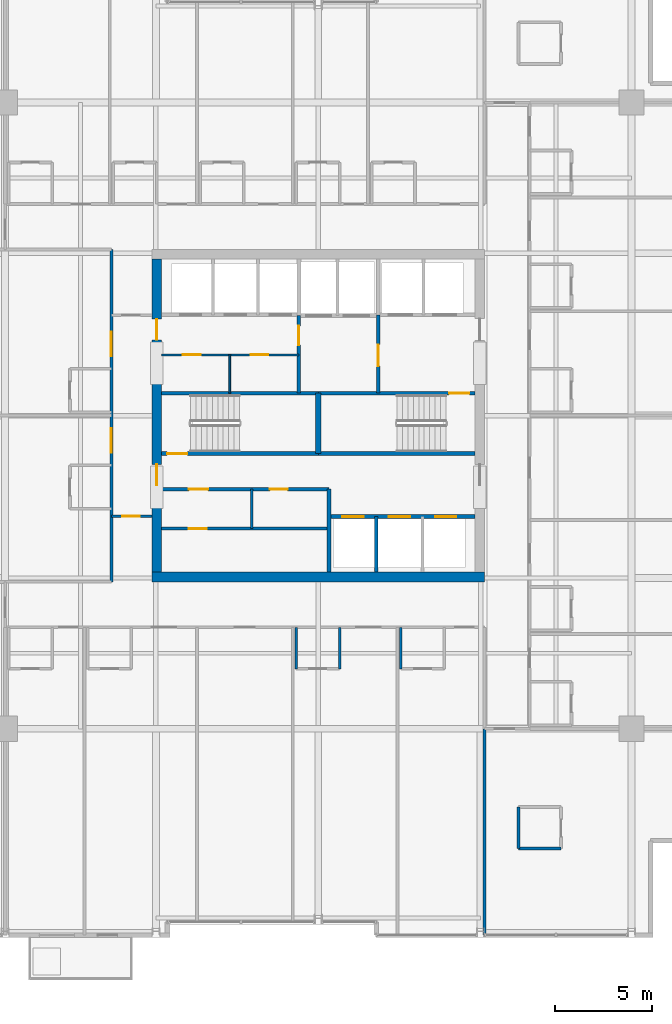
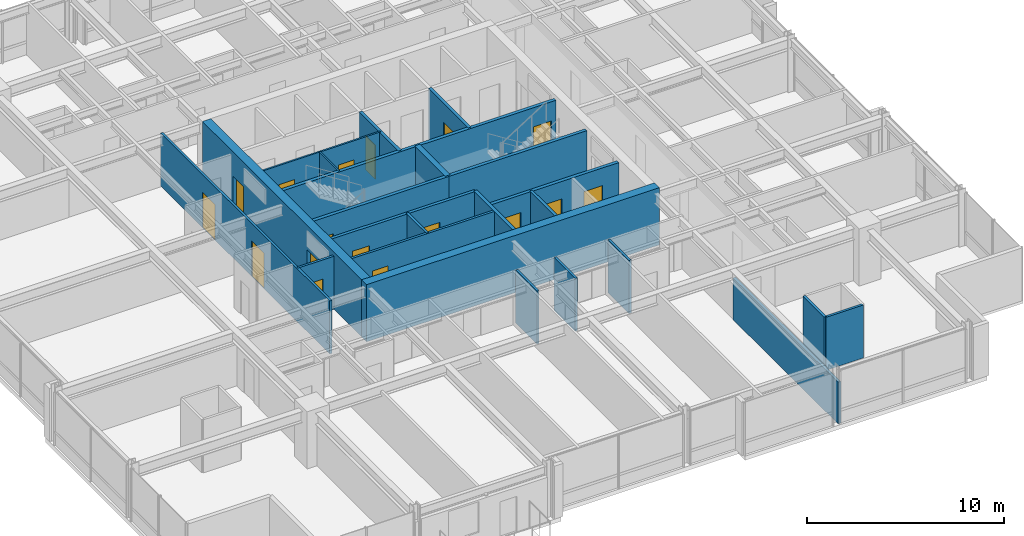
# One storey, part 27 of 32: 25 walls, 17 doors, 17 openings.
"""IFC4 building model written with IfcOpenShell, lengths in metres."""

from ifc_helpers import new_model, si_unit, direction, frame, frame_2d, origin, place, context, subcontext, project, spatial, rectangle, extrude, material, layer, layer_set, type_object, element, fill, save


model = new_model("IFC4")

# Units and contexts
model_context = context("Model", 3, precision=1e-05, world=origin(), true_north=direction((0.0, 1.0)))
body_context = subcontext(model_context, "Body", "Model", "MODEL_VIEW")
ifc_project = project(units=[si_unit("LENGTHUNIT", "METRE"), si_unit("AREAUNIT", "SQUARE_METRE"), si_unit("VOLUMEUNIT", "CUBIC_METRE"), si_unit("PLANEANGLEUNIT", "RADIAN"), si_unit("MASSUNIT", "GRAM", prefix="KILO")], contexts=[model_context])

# Site, building, storey
site_placement = place(None, origin())
site = spatial("IfcSite", under=ifc_project, at=site_placement, CompositionType="ELEMENT")
building_placement = place(site_placement, origin())
building = spatial("IfcBuilding", under=site, at=building_placement, Name="Drelvath Grand Hotel", CompositionType="ELEMENT")
storey_placement = place(building_placement, frame((0.0, 0.0, 157.5)))
storey = spatial("IfcBuildingStorey", under=building, at=storey_placement, Name="L40", CompositionType="ELEMENT", Elevation=157.5)

# Wall, openings, doors
ifc_material_1 = material(Name="Gypsum Partition Board")
ifc_layer_1 = layer(ifc_material_1, 0.10009765625)
ifc_layer_set_1 = layer_set([ifc_layer_1], Name="Gypsum Partition Board")
wall_type_1 = type_object("IfcWallType", Name="Core Closet Partition 100", PredefinedType="PARTITIONING", material=ifc_layer_set_1)
wall_1_placement = place(storey_placement, frame((-8.10009765625, 30.139892578125, 0.0), z_axis=(0.0, 0.0, 1.0), x_axis=(1.0, 0.0, 0.0)))
wall_1 = element("IfcWall", 1, at=wall_1_placement, inside=storey, type_object=wall_type_1, Name="L40 High-Rise Lobby Closet Wall", PredefinedType="PARTITIONING", context=body_context, shape_type="SweptSolid", body=[
    extrude(rectangle(XDim=7.10009765625, YDim=0.10009765625, at=frame_2d((3.550048828125, 0.0))), origin(), (0.0, 0.0, 1.0), 3.2900390625),
])
opening_1_placement = place(wall_1_placement, frame((1.10009765625, 0.0, 0.0)))
opening_1 = element("IfcOpeningElement", 2, at=opening_1_placement, cuts=wall_1, Name="Opening D-T3G1-014", PredefinedType="OPENING", context=body_context, shape_type="SweptSolid", body=[
    extrude(rectangle(XDim=0.919921875, YDim=2.10009765625, at=frame_2d((0.4599609375, 1.050048828125))), frame((0.0, 0.06005859375, 0.0), z_axis=(0.0, -1.0, 0.0), x_axis=(1.0, 0.0, 0.0)), (0.0, 0.0, 1.0), 0.1201171875),
])
opening_2_placement = place(wall_1_placement, frame((4.60009765625, 0.0, 0.0)))
opening_2 = element("IfcOpeningElement", 3, at=opening_2_placement, cuts=wall_1, Name="Opening D-T3G1-015", PredefinedType="OPENING", context=body_context, shape_type="SweptSolid", body=[
    extrude(rectangle(XDim=0.919921875, YDim=2.10009765625, at=frame_2d((0.4599609375, 1.050048828125))), frame((0.0, 0.06005859375, 0.0), z_axis=(0.0, -1.0, 0.0), x_axis=(1.0, 0.0, 0.0)), (0.0, 0.0, 1.0), 0.1201171875),
])
ifc_material_2 = material(Name="Painted Steel S275", Category="steel")
door_type_1 = type_object("IfcDoorType", Name="Staff Utility Door 920x2100", OperationType="NOTDEFINED", PredefinedType="DOOR", material=ifc_material_2)
door_1_placement = place(opening_1_placement, origin())
door_1 = element("IfcDoor", 4, at=door_1_placement, inside=storey, type_object=door_type_1, Name="L40 Electrical Closet Door", OperationType="SINGLE_SWING_LEFT", OverallHeight=2.10009765625, OverallWidth=0.919921875, PredefinedType="DOOR", context=body_context, shape_type="SweptSolid", body=[
    extrude(rectangle(XDim=0.919921875, YDim=2.10009765625, at=frame_2d((0.4599609375, 1.050048828125))), frame((0.0, 0.02490234375, 0.0), z_axis=(0.0, -1.0, 0.0), x_axis=(1.0, 0.0, 0.0)), (0.0, 0.0, 1.0), 0.050048828125),
])
fill(opening_1, door_1)
door_2_placement = place(opening_2_placement, origin())
door_2 = element("IfcDoor", 5, at=door_2_placement, inside=storey, type_object=door_type_1, Name="L40 Telecom Room Door", OperationType="SINGLE_SWING_RIGHT", OverallHeight=2.10009765625, OverallWidth=0.919921875, PredefinedType="DOOR", context=body_context, shape_type="SweptSolid", body=[
    extrude(rectangle(XDim=0.919921875, YDim=2.10009765625, at=frame_2d((0.4599609375, 1.050048828125))), frame((0.0, 0.02490234375, 0.0), z_axis=(0.0, -1.0, 0.0), x_axis=(1.0, 0.0, 0.0)), (0.0, 0.0, 1.0), 0.050048828125),
])
fill(opening_2, door_2)

# Wall
wall_2_placement = place(storey_placement, frame((-4.580078125, 28.159912109375, 0.0), z_axis=(0.0, 0.0, 1.0), x_axis=(0.0, 1.0, 0.0)))
element("IfcWall", 6, at=wall_2_placement, inside=storey, type_object=wall_type_1, Name="L40 Core Closet Split 1", PredefinedType="PARTITIONING", context=body_context, shape_type="SweptSolid", body=[
    extrude(rectangle(XDim=1.97998046875, YDim=0.10009765625, at=frame_2d((0.989990234375, 0.0))), origin(), (0.0, 0.0, 1.0), 3.2900390625),
])

# Wall, openings, doors
ifc_material_3 = material(Name="Concrete C40/50", Category="concrete")
ifc_layer_2 = layer(ifc_material_3, 0.199951171875)
ifc_layer_set_2 = layer_set([ifc_layer_2], Name="Concrete C40/50")
wall_type_2 = type_object("IfcWallType", Name="Core Hoistway Fire Wall 200", PredefinedType="SOLIDWALL", material=ifc_layer_set_2)
wall_3_placement = place(storey_placement, frame((8.10009765625, 21.780029296875, 0.0), z_axis=(0.0, 0.0, 1.0), x_axis=(-1.0, 0.0, 0.0)))
wall_3 = element("IfcWall", 7, at=wall_3_placement, inside=storey, type_object=wall_type_2, Name="L40 Bank 2 Hoistway Wall", PredefinedType="SOLIDWALL", context=body_context, shape_type="SweptSolid", body=[
    extrude(rectangle(XDim=7.550048828125, YDim=0.199951171875, at=frame_2d((3.77490234375, 0.0))), origin(), (0.0, 0.0, 1.0), 3.2900390625),
])
opening_3_placement = place(wall_3_placement, frame((5.75, 0.0, 0.0)))
opening_3 = element("IfcOpeningElement", 8, at=opening_3_placement, cuts=wall_3, Name="Opening LD-PE-4", PredefinedType="OPENING", context=body_context, shape_type="SweptSolid", body=[
    extrude(rectangle(XDim=1.10009765625, YDim=2.199951171875, at=frame_2d((0.550048828125, 1.10009765625))), frame((0.0, 0.10986328125, 0.0), z_axis=(0.0, -1.0, 0.0), x_axis=(1.0, 0.0, 0.0)), (0.0, 0.0, 1.0), 0.219970703125),
])
opening_4_placement = place(wall_3_placement, frame((3.35009765625, 0.0, 0.0)))
opening_4 = element("IfcOpeningElement", 9, at=opening_4_placement, cuts=wall_3, Name="Opening LD-PE-5", PredefinedType="OPENING", context=body_context, shape_type="SweptSolid", body=[
    extrude(rectangle(XDim=1.10009765625, YDim=2.199951171875, at=frame_2d((0.550048828125, 1.10009765625))), frame((0.0, 0.10986328125, 0.0), z_axis=(0.0, -1.0, 0.0), x_axis=(1.0, 0.0, 0.0)), (0.0, 0.0, 1.0), 0.219970703125),
])
opening_5_placement = place(wall_3_placement, frame((0.949951171875, 0.0, 0.0)))
opening_5 = element("IfcOpeningElement", 10, at=opening_5_placement, cuts=wall_3, Name="Opening LD-PE-6", PredefinedType="OPENING", context=body_context, shape_type="SweptSolid", body=[
    extrude(rectangle(XDim=1.10009765625, YDim=2.199951171875, at=frame_2d((0.550048828125, 1.10009765625))), frame((0.0, 0.10986328125, 0.0), z_axis=(0.0, -1.0, 0.0), x_axis=(1.0, 0.0, 0.0)), (0.0, 0.0, 1.0), 0.219970703125),
])
ifc_material_4 = material(Name="Stainless Steel S355", Category="steel")
door_type_2 = type_object("IfcDoorType", Name="Passenger Lift Sliding Landing Door 1100x2200", OperationType="NOTDEFINED", PredefinedType="DOOR", material=ifc_material_4)
door_3_placement = place(opening_3_placement, origin())
door_3 = element("IfcDoor", 11, at=door_3_placement, inside=storey, type_object=door_type_2, Name="L40 Lift PE-4 Landing Door", OperationType="SLIDING_TO_LEFT", OverallHeight=2.199951171875, OverallWidth=1.10009765625, PredefinedType="DOOR", context=body_context, shape_type="SweptSolid", body=[
    extrude(rectangle(XDim=1.10009765625, YDim=2.199951171875, at=frame_2d((0.550048828125, 1.10009765625))), frame((0.0, 0.02490234375, 0.0), z_axis=(0.0, -1.0, 0.0), x_axis=(1.0, 0.0, 0.0)), (0.0, 0.0, 1.0), 0.050048828125),
])
fill(opening_3, door_3)
door_4_placement = place(opening_4_placement, origin())
door_4 = element("IfcDoor", 12, at=door_4_placement, inside=storey, type_object=door_type_2, Name="L40 Lift PE-5 Landing Door", OperationType="SLIDING_TO_LEFT", OverallHeight=2.199951171875, OverallWidth=1.10009765625, PredefinedType="DOOR", context=body_context, shape_type="SweptSolid", body=[
    extrude(rectangle(XDim=1.10009765625, YDim=2.199951171875, at=frame_2d((0.550048828125, 1.10009765625))), frame((0.0, 0.02490234375, 0.0), z_axis=(0.0, -1.0, 0.0), x_axis=(1.0, 0.0, 0.0)), (0.0, 0.0, 1.0), 0.050048828125),
])
fill(opening_4, door_4)
door_5_placement = place(opening_5_placement, origin())
door_5 = element("IfcDoor", 13, at=door_5_placement, inside=storey, type_object=door_type_2, Name="L40 Lift PE-6 Landing Door", OperationType="SLIDING_TO_LEFT", OverallHeight=2.199951171875, OverallWidth=1.10009765625, PredefinedType="DOOR", context=body_context, shape_type="SweptSolid", body=[
    extrude(rectangle(XDim=1.10009765625, YDim=2.199951171875, at=frame_2d((0.550048828125, 1.10009765625))), frame((0.0, 0.02490234375, 0.0), z_axis=(0.0, -1.0, 0.0), x_axis=(1.0, 0.0, 0.0)), (0.0, 0.0, 1.0), 0.050048828125),
])
fill(opening_5, door_5)

# Wall
wall_4_placement = place(storey_placement, frame((0.550048828125, 18.89990234375, 0.0), z_axis=(0.0, 0.0, 1.0), x_axis=(0.0, 1.0, 0.0)))
element("IfcWall", 14, at=wall_4_placement, inside=storey, type_object=wall_type_2, Name="L40 Bank 2 West Wall", PredefinedType="SOLIDWALL", context=body_context, shape_type="SweptSolid", body=[
    extrude(rectangle(XDim=4.300048828125, YDim=0.199951171875, at=frame_2d((2.14990234375, 0.0))), origin(), (0.0, 0.0, 1.0), 3.2900390625),
])

# Wall, opening, door
ifc_layer_3 = layer(ifc_material_3, 0.199951171875)
ifc_layer_set_3 = layer_set([ifc_layer_3], Name="Concrete C40/50")
wall_type_3 = type_object("IfcWallType", Name="Core Shaft Fire Wall 200", PredefinedType="SOLIDWALL", material=ifc_layer_set_3)
wall_5_placement = place(storey_placement, frame((-8.10009765625, 25.0400390625, 0.0), z_axis=(0.0, 0.0, 1.0), x_axis=(1.0, 0.0, 0.0)))
wall_5 = element("IfcWall", 15, at=wall_5_placement, inside=storey, type_object=wall_type_3, Name="L40 Stair ST-1 South Wall", PredefinedType="SOLIDWALL", context=body_context, shape_type="SweptSolid", body=[
    extrude(rectangle(XDim=8.10009765625, YDim=0.199951171875, at=frame_2d((4.050048828125, 0.0))), origin(), (0.0, 0.0, 1.0), 3.2900390625),
])
opening_6_placement = place(wall_5_placement, frame((0.280029296875, 0.0, 0.0)))
opening_6 = element("IfcOpeningElement", 16, at=opening_6_placement, cuts=wall_5, Name="Opening D-T3G1-001", PredefinedType="OPENING", context=body_context, shape_type="SweptSolid", body=[
    extrude(rectangle(XDim=1.050048828125, YDim=2.10009765625, at=frame_2d((0.52490234375, 1.050048828125))), frame((0.0, 0.10986328125, 0.0), z_axis=(0.0, -1.0, 0.0), x_axis=(1.0, 0.0, 0.0)), (0.0, 0.0, 1.0), 0.219970703125),
])
door_type_3 = type_object("IfcDoorType", Name="Tower Stairwell Fire Door 1050x2100", OperationType="NOTDEFINED", PredefinedType="DOOR", material=ifc_material_2)
door_6_placement = place(opening_6_placement, origin())
door_6 = element("IfcDoor", 17, at=door_6_placement, inside=storey, type_object=door_type_3, Name="L40 Exit Stair ST-1 Door", OperationType="SINGLE_SWING_LEFT", OverallHeight=2.10009765625, OverallWidth=1.050048828125, PredefinedType="DOOR", context=body_context, shape_type="SweptSolid", body=[
    extrude(rectangle(XDim=1.050048828125, YDim=2.10009765625, at=frame_2d((0.52490234375, 1.050048828125))), frame((0.0, 0.02490234375, 0.0), z_axis=(0.0, -1.0, 0.0), x_axis=(1.0, 0.0, 0.0)), (0.0, 0.0, 1.0), 0.050048828125),
])
fill(opening_6, door_6)

# Walls
for number, where, z_axis, x_axis, name in (
    (18, (-8.10009765625, 28.159912109375, 0.0), (0.0, 0.0, 1.0), (1.0, 0.0, 0.0), "L40 Stair ST-1 North Wall"),
    (19, (0.0, 25.0400390625, 0.0), (0.0, 0.0, 1.0), (1.0, 0.0, 0.0), "L40 Stair ST-2 South Wall"),
):
    element("IfcWall", number, at=place(storey_placement, frame(where, z_axis=z_axis, x_axis=x_axis)), inside=storey, type_object=wall_type_3, Name=name, PredefinedType="SOLIDWALL", context=body_context, shape_type="SweptSolid", body=[
        extrude(rectangle(XDim=8.10009765625, YDim=0.199951171875, at=frame_2d((4.050048828125, 0.0))), origin(), (0.0, 0.0, 1.0), 3.2900390625),
    ])

# Wall, opening, door
wall_6_placement = place(storey_placement, frame((8.10009765625, 28.159912109375, 0.0), z_axis=(0.0, 0.0, 1.0), x_axis=(-1.0, 0.0, 0.0)))
wall_6 = element("IfcWall", 20, at=wall_6_placement, inside=storey, type_object=wall_type_3, Name="L40 Stair ST-2 North Wall", PredefinedType="SOLIDWALL", context=body_context, shape_type="SweptSolid", body=[
    extrude(rectangle(XDim=8.10009765625, YDim=0.199951171875, at=frame_2d((4.050048828125, 0.0))), origin(), (0.0, 0.0, 1.0), 3.2900390625),
])
opening_7_placement = place(wall_6_placement, frame((0.280029296875, 0.0, 0.0)))
opening_7 = element("IfcOpeningElement", 21, at=opening_7_placement, cuts=wall_6, Name="Opening D-T3G1-002", PredefinedType="OPENING", context=body_context, shape_type="SweptSolid", body=[
    extrude(rectangle(XDim=1.050048828125, YDim=2.10009765625, at=frame_2d((0.52490234375, 1.050048828125))), frame((0.0, 0.10986328125, 0.0), z_axis=(0.0, -1.0, 0.0), x_axis=(1.0, 0.0, 0.0)), (0.0, 0.0, 1.0), 0.219970703125),
])
door_7_placement = place(opening_7_placement, origin())
door_7 = element("IfcDoor", 22, at=door_7_placement, inside=storey, type_object=door_type_3, Name="L40 Exit Stair ST-2 Door", OperationType="SINGLE_SWING_LEFT", OverallHeight=2.10009765625, OverallWidth=1.050048828125, PredefinedType="DOOR", context=body_context, shape_type="SweptSolid", body=[
    extrude(rectangle(XDim=1.050048828125, YDim=2.10009765625, at=frame_2d((0.52490234375, 1.050048828125))), frame((0.0, 0.02490234375, 0.0), z_axis=(0.0, -1.0, 0.0), x_axis=(1.0, 0.0, 0.0)), (0.0, 0.0, 1.0), 0.050048828125),
])
fill(opening_7, door_7)

# Walls
ifc_layer_4 = layer(ifc_material_3, 0.300048828125)
ifc_layer_set_4 = layer_set([ifc_layer_4], Name="Concrete C40/50")
wall_type_4 = type_object("IfcWallType", Name="Core Shaft Fire Wall 300", PredefinedType="SOLIDWALL", material=ifc_layer_set_4)
wall_7_placement = place(storey_placement, frame((0.0, 25.0400390625, 0.0), z_axis=(0.0, 0.0, 1.0), x_axis=(0.0, 1.0, 0.0)))
element("IfcWall", 23, at=wall_7_placement, inside=storey, type_object=wall_type_4, Name="L40 Core Stair Divider Wall", PredefinedType="SOLIDWALL", context=body_context, shape_type="SweptSolid", body=[
    extrude(rectangle(XDim=3.119873046875, YDim=0.300048828125, at=frame_2d((1.56005859375, 0.0))), origin(), (0.0, 0.0, 1.0), 3.2900390625),
])
ifc_material_5 = material(Name="Gypsum Fireboard Partition")
ifc_layer_5 = layer(ifc_material_5, 0.1650390625)
ifc_layer_set_5 = layer_set([ifc_layer_5], Name="Gypsum Fireboard Partition")
wall_type_5 = type_object("IfcWallType", Name="Core Shaft Partition 165", PredefinedType="PARTITIONING", material=ifc_layer_set_5)
wall_8_placement = place(storey_placement, frame((3.0, 18.89990234375, 0.0), z_axis=(0.0, 0.0, 1.0), x_axis=(0.0, 1.0, 0.0)))
element("IfcWall", 24, at=wall_8_placement, inside=storey, type_object=wall_type_5, Name="L40 Lift PE-4/5 Divider", PredefinedType="PARTITIONING", context=body_context, shape_type="SweptSolid", body=[
    extrude(rectangle(XDim=2.880126953125, YDim=0.1650390625, at=frame_2d((1.43994140625, 0.0))), origin(), (0.0, 0.0, 1.0), 3.2900390625),
])

# Wall, opening, door
ifc_layer_6 = layer(ifc_material_5, 0.135009765625)
ifc_layer_set_6 = layer_set([ifc_layer_6], Name="Gypsum Fireboard Partition")
wall_type_6 = type_object("IfcWallType", Name="Corridor Fire Barrier Wall 135", PredefinedType="PARTITIONING", material=ifc_layer_set_6)
wall_9_placement = place(storey_placement, frame((-10.699951171875, 21.800048828125, 0.0), z_axis=(0.0, 0.0, 1.0), x_axis=(1.0, 0.0, 0.0)))
wall_9 = element("IfcWall", 25, at=wall_9_placement, inside=storey, type_object=wall_type_6, Name="L40 West Foyer South Wall", PredefinedType="PARTITIONING", context=body_context, shape_type="SweptSolid", body=[
    extrude(rectangle(XDim=2.099853515625, YDim=0.135009765625, at=frame_2d((1.0498046875, 0.0))), origin(), (0.0, 0.0, 1.0), 3.2900390625),
])
opening_8_placement = place(wall_9_placement, frame((0.550048828125, 0.0, 0.0)))
opening_8 = element("IfcOpeningElement", 26, at=opening_8_placement, cuts=wall_9, Name="Opening D-T3G1-024", PredefinedType="OPENING", context=body_context, shape_type="SweptSolid", body=[
    extrude(rectangle(XDim=0.919921875, YDim=2.10009765625, at=frame_2d((0.4599609375, 1.050048828125))), frame((0.0, 0.077392578125, 0.0), z_axis=(0.0, -1.0, 0.0), x_axis=(1.0, 0.0, 0.0)), (0.0, 0.0, 1.0), 0.155029296875),
])
door_8_placement = place(opening_8_placement, origin())
door_8 = element("IfcDoor", 27, at=door_8_placement, inside=storey, type_object=door_type_1, Name="L40 West Linen Closet Door", OperationType="SINGLE_SWING_RIGHT", OverallHeight=2.10009765625, OverallWidth=0.919921875, PredefinedType="DOOR", context=body_context, shape_type="SweptSolid", body=[
    extrude(rectangle(XDim=0.919921875, YDim=2.10009765625, at=frame_2d((0.4599609375, 1.050048828125))), frame((0.0, 0.02490234375, 0.0), z_axis=(0.0, -1.0, 0.0), x_axis=(1.0, 0.0, 0.0)), (0.0, 0.0, 1.0), 0.050048828125),
])
fill(opening_8, door_8)

# Wall, openings, doors
wall_10_placement = place(storey_placement, frame((-10.699951171875, 18.39990234375, 0.0), z_axis=(0.0, 0.0, 1.0), x_axis=(0.0, 1.0, 0.0)))
wall_10 = element("IfcWall", 28, at=wall_10_placement, inside=storey, type_object=wall_type_6, Name="L40 West Spine Wall", PredefinedType="PARTITIONING", context=body_context, shape_type="SweptSolid", body=[
    extrude(rectangle(XDim=17.2001953125, YDim=0.135009765625, at=frame_2d((8.60009765625, 0.0))), origin(), (0.0, 0.0, 1.0), 3.2900390625),
])
opening_9_placement = place(wall_10_placement, frame((6.68505859375, 0.0, 0.0)))
opening_9 = element("IfcOpeningElement", 29, at=opening_9_placement, cuts=wall_10, Name="Opening D-T3G1-065", PredefinedType="OPENING", context=body_context, shape_type="SweptSolid", body=[
    extrude(rectangle(XDim=1.260009765625, YDim=2.199951171875, at=frame_2d((0.6298828125, 1.10009765625))), frame((0.0, 0.077392578125, 0.0), z_axis=(0.0, -1.0, 0.0), x_axis=(1.0, 0.0, 0.0)), (0.0, 0.0, 1.0), 0.155029296875),
])
opening_10_placement = place(wall_10_placement, frame((11.68505859375, 0.0, 0.0)))
opening_10 = element("IfcOpeningElement", 30, at=opening_10_placement, cuts=wall_10, Name="Opening D-T3G1-067", PredefinedType="OPENING", context=body_context, shape_type="SweptSolid", body=[
    extrude(rectangle(XDim=1.260009765625, YDim=2.199951171875, at=frame_2d((0.6298828125, 1.10009765625))), frame((0.0, 0.077392578125, 0.0), z_axis=(0.0, -1.0, 0.0), x_axis=(1.0, 0.0, 0.0)), (0.0, 0.0, 1.0), 0.155029296875),
])
ifc_material_6 = material(Name="Hardwood Walnut Timber", Category="wood")
door_type_4 = type_object("IfcDoorType", Name="Suite Entrance Fire Door 1260x2200", OperationType="NOTDEFINED", PredefinedType="DOOR", material=ifc_material_6)
door_9_placement = place(opening_9_placement, origin())
door_9 = element("IfcDoor", 31, at=door_9_placement, inside=storey, type_object=door_type_4, Name="L40 Executive Suite Entry Door", OperationType="SINGLE_SWING_LEFT", OverallHeight=2.199951171875, OverallWidth=1.260009765625, PredefinedType="DOOR", context=body_context, shape_type="SweptSolid", body=[
    extrude(rectangle(XDim=1.260009765625, YDim=2.199951171875, at=frame_2d((0.6298828125, 1.10009765625))), frame((0.0, 0.02490234375, 0.0), z_axis=(0.0, -1.0, 0.0), x_axis=(1.0, 0.0, 0.0)), (0.0, 0.0, 1.0), 0.050048828125),
])
fill(opening_9, door_9)
door_10_placement = place(opening_10_placement, origin())
door_10 = element("IfcDoor", 32, at=door_10_placement, inside=storey, type_object=door_type_4, Name="L40 Executive Suite Entry Door", OperationType="SINGLE_SWING_LEFT", OverallHeight=2.199951171875, OverallWidth=1.260009765625, PredefinedType="DOOR", context=body_context, shape_type="SweptSolid", body=[
    extrude(rectangle(XDim=1.260009765625, YDim=2.199951171875, at=frame_2d((0.6298828125, 1.10009765625))), frame((0.0, 0.02490234375, 0.0), z_axis=(0.0, -1.0, 0.0), x_axis=(1.0, 0.0, 0.0)), (0.0, 0.0, 1.0), 0.050048828125),
])
fill(opening_10, door_10)

# Wall, opening, door
ifc_material_7 = material(Name="Moisture-Resistant Gypsum Board")
ifc_layer_7 = layer(ifc_material_7, 0.139892578125)
ifc_layer_set_7 = layer_set([ifc_layer_7], Name="Moisture-Resistant Gypsum Board")
wall_type_7 = type_object("IfcWallType", Name="En-Suite Plumbing Wall 140", PredefinedType="PLUMBINGWALL", material=ifc_layer_set_7)
wall_11_placement = place(storey_placement, frame((-8.10009765625, 21.159912109375, 0.0), z_axis=(0.0, 0.0, 1.0), x_axis=(1.0, 0.0, 0.0)))
wall_11 = element("IfcWall", 33, at=wall_11_placement, inside=storey, type_object=wall_type_7, Name="L40 Reclaimed Horizontal Wall", PredefinedType="PLUMBINGWALL", context=body_context, shape_type="SweptSolid", body=[
    extrude(rectangle(XDim=8.650146484375, YDim=0.139892578125, at=frame_2d((4.3251953125, 0.0))), origin(), (0.0, 0.0, 1.0), 3.2900390625),
])
opening_11_placement = place(wall_11_placement, frame((1.39990234375, 0.0, 0.0)))
opening_11 = element("IfcOpeningElement", 34, at=opening_11_placement, cuts=wall_11, Name="Opening D-T3G1-023", PredefinedType="OPENING", context=body_context, shape_type="SweptSolid", body=[
    extrude(rectangle(XDim=0.919921875, YDim=2.10009765625, at=frame_2d((0.4599609375, 1.050048828125))), frame((0.0, 0.079833984375, 0.0), z_axis=(0.0, -1.0, 0.0), x_axis=(1.0, 0.0, 0.0)), (0.0, 0.0, 1.0), 0.159912109375),
])
door_11_placement = place(opening_11_placement, origin())
door_11 = element("IfcDoor", 35, at=door_11_placement, inside=storey, type_object=door_type_1, Name="L40 Housekeeping Inner Door", OperationType="SINGLE_SWING_LEFT", OverallHeight=2.10009765625, OverallWidth=0.919921875, PredefinedType="DOOR", context=body_context, shape_type="SweptSolid", body=[
    extrude(rectangle(XDim=0.919921875, YDim=2.10009765625, at=frame_2d((0.4599609375, 1.050048828125))), frame((0.0, 0.02490234375, 0.0), z_axis=(0.0, -1.0, 0.0), x_axis=(1.0, 0.0, 0.0)), (0.0, 0.0, 1.0), 0.050048828125),
])
fill(opening_11, door_11)

# Walls
wall_12_placement = place(storey_placement, frame((-3.43994140625, 21.159912109375, 0.0), z_axis=(0.0, 0.0, 1.0), x_axis=(0.0, 1.0, 0.0)))
element("IfcWall", 36, at=wall_12_placement, inside=storey, type_object=wall_type_7, Name="L40 Staff WC Wall", PredefinedType="PLUMBINGWALL", context=body_context, shape_type="SweptSolid", body=[
    extrude(rectangle(XDim=2.0400390625, YDim=0.139892578125, at=frame_2d((1.02001953125, 0.0))), origin(), (0.0, 0.0, 1.0), 3.2900390625),
])
wall_13_placement = place(storey_placement, frame((10.360107421875, 4.60009765625, 0.0), z_axis=(0.0, 0.0, 1.0), x_axis=(1.0, 0.0, 0.0)))
element("IfcWall", 37, at=wall_13_placement, inside=storey, type_object=wall_type_7, Name="L40 Corner En-Suite South", PredefinedType="PLUMBINGWALL", context=body_context, shape_type="SweptSolid", body=[
    extrude(rectangle(XDim=2.199951171875, YDim=0.139892578125, at=frame_2d((1.10009765625, 0.0))), origin(), (0.0, 0.0, 1.0), 3.2900390625),
])
wall_14_placement = place(storey_placement, frame((10.360107421875, 4.60009765625, 0.0), z_axis=(0.0, 0.0, 1.0), x_axis=(0.0, 1.0, 0.0)))
element("IfcWall", 38, at=wall_14_placement, inside=storey, type_object=wall_type_7, Name="L40 Corner En-Suite West", PredefinedType="PLUMBINGWALL", context=body_context, shape_type="SweptSolid", body=[
    extrude(rectangle(XDim=2.14990234375, YDim=0.139892578125, at=frame_2d((1.074951171875, 0.0))), origin(), (0.0, 0.0, 1.0), 3.2900390625),
])
for number, where, z_axis, x_axis, name in (
    (39, (-1.139892578125, 16.050048828125, 0.0), (0.0, 0.0, 1.0), (0.0, -1.0, 0.0), "L40 En-Suite Left Wall"),
    (40, (1.110107421875, 16.050048828125, 0.0), (0.0, 0.0, 1.0), (0.0, -1.0, 0.0), "L40 En-Suite Right Wall"),
    (41, (4.27099609375, 16.050048828125, 0.0), (0.0, 0.0, 1.0), (0.0, -1.0, 0.0), "L40 En-Suite Left Wall"),
):
    element("IfcWall", number, at=place(storey_placement, frame(where, z_axis=z_axis, x_axis=x_axis)), inside=storey, type_object=wall_type_7, Name=name, PredefinedType="PLUMBINGWALL", context=body_context, shape_type="SweptSolid", body=[
        extrude(rectangle(XDim=2.150146484375, YDim=0.139892578125, at=frame_2d((1.0751953125, 0.0))), origin(), (0.0, 0.0, 1.0), 3.2900390625),
    ])

# Wall, opening, door
ifc_layer_8 = layer(ifc_material_5, 0.179931640625)
ifc_layer_set_8 = layer_set([ifc_layer_8], Name="Gypsum Fireboard Partition")
wall_type_8 = type_object("IfcWallType", Name="FSAE Smoke Lobby Fire Wall 180", PredefinedType="SOLIDWALL", material=ifc_layer_set_8)
wall_15_placement = place(storey_placement, frame((3.10009765625, 28.159912109375, 0.0), z_axis=(0.0, 0.0, 1.0), x_axis=(0.0, 1.0, 0.0)))
wall_15 = element("IfcWall", 42, at=wall_15_placement, inside=storey, type_object=wall_type_8, Name="L40 FSAE Smoke Lobby West Wall", PredefinedType="SOLIDWALL", context=body_context, shape_type="SweptSolid", body=[
    extrude(rectangle(XDim=4.06005859375, YDim=0.179931640625, at=frame_2d((2.030029296875, 0.0))), origin(), (0.0, 0.0, 1.0), 3.2900390625),
])
opening_12_placement = place(wall_15_placement, frame((1.39990234375, 0.0, 0.0)))
opening_12 = element("IfcOpeningElement", 43, at=opening_12_placement, cuts=wall_15, Name="Opening D-T3G1-005", PredefinedType="OPENING", context=body_context, shape_type="SweptSolid", body=[
    extrude(rectangle(XDim=1.1201171875, YDim=2.10009765625, at=frame_2d((0.56005859375, 1.050048828125))), frame((0.0, 0.099853515625, 0.0), z_axis=(0.0, -1.0, 0.0), x_axis=(1.0, 0.0, 0.0)), (0.0, 0.0, 1.0), 0.199951171875),
])
door_type_5 = type_object("IfcDoorType", Name="FSAE Smoke Lobby Fire Door 1120x2100", OperationType="NOTDEFINED", PredefinedType="DOOR", material=ifc_material_2)
door_12_placement = place(opening_12_placement, origin())
door_12 = element("IfcDoor", 44, at=door_12_placement, inside=storey, type_object=door_type_5, Name="L40 FSAE Lobby Service Vestibule Door", OperationType="SINGLE_SWING_RIGHT", OverallHeight=2.10009765625, OverallWidth=1.1201171875, PredefinedType="DOOR", context=body_context, shape_type="SweptSolid", body=[
    extrude(rectangle(XDim=1.1201171875, YDim=2.10009765625, at=frame_2d((0.56005859375, 1.050048828125))), frame((0.0, 0.02490234375, 0.0), z_axis=(0.0, -1.0, 0.0), x_axis=(1.0, 0.0, 0.0)), (0.0, 0.0, 1.0), 0.050048828125),
])
fill(opening_12, door_12)

wall_16_placement = place(storey_placement, frame((-1.0, 28.159912109375, 0.0), z_axis=(0.0, 0.0, 1.0), x_axis=(0.0, 1.0, 0.0)))
wall_16 = element("IfcWall", 45, at=wall_16_placement, inside=storey, type_object=wall_type_8, Name="L40 Service Vestibule West Wall", PredefinedType="SOLIDWALL", context=body_context, shape_type="SweptSolid", body=[
    extrude(rectangle(XDim=4.02001953125, YDim=0.179931640625, at=frame_2d((2.010009765625, 0.0))), origin(), (0.0, 0.0, 1.0), 3.2900390625),
])
opening_13_placement = place(wall_16_placement, frame((2.489990234375, 0.0, 0.0)))
opening_13 = element("IfcOpeningElement", 46, at=opening_13_placement, cuts=wall_16, Name="Opening D-T3G1-009", PredefinedType="OPENING", context=body_context, shape_type="SweptSolid", body=[
    extrude(rectangle(XDim=1.0, YDim=2.10009765625, at=frame_2d((0.5, 1.050048828125))), frame((0.0, 0.099853515625, 0.0), z_axis=(0.0, -1.0, 0.0), x_axis=(1.0, 0.0, 0.0)), (0.0, 0.0, 1.0), 0.199951171875),
])
door_type_6 = type_object("IfcDoorType", Name="Core Service Fire Door 1000x2100", OperationType="NOTDEFINED", PredefinedType="DOOR", material=ifc_material_2)
door_13_placement = place(opening_13_placement, origin())
door_13 = element("IfcDoor", 47, at=door_13_placement, inside=storey, type_object=door_type_6, Name="L40 Service Vestibule West Door", OperationType="SINGLE_SWING_LEFT", OverallHeight=2.10009765625, OverallWidth=1.0, PredefinedType="DOOR", context=body_context, shape_type="SweptSolid", body=[
    extrude(rectangle(XDim=1.0, YDim=2.10009765625, at=frame_2d((0.5, 1.050048828125))), frame((0.0, 0.02490234375, 0.0), z_axis=(0.0, -1.0, 0.0), x_axis=(1.0, 0.0, 0.0)), (0.0, 0.0, 1.0), 0.050048828125),
])
fill(opening_13, door_13)

# Wall, openings, doors
wall_17_placement = place(storey_placement, frame((-8.10009765625, 23.199951171875, 0.0), z_axis=(0.0, 0.0, 1.0), x_axis=(1.0, 0.0, 0.0)))
wall_17 = element("IfcWall", 48, at=wall_17_placement, inside=storey, type_object=wall_type_8, Name="L40 Reclaimed Core Room Wall", PredefinedType="SOLIDWALL", context=body_context, shape_type="SweptSolid", body=[
    extrude(rectangle(XDim=8.650146484375, YDim=0.179931640625, at=frame_2d((4.3251953125, 0.0))), origin(), (0.0, 0.0, 1.0), 3.2900390625),
])
opening_14_placement = place(wall_17_placement, frame((1.39990234375, 0.0, 0.0)))
opening_14 = element("IfcOpeningElement", 49, at=opening_14_placement, cuts=wall_17, Name="Opening D-T3G1-021", PredefinedType="OPENING", context=body_context, shape_type="SweptSolid", body=[
    extrude(rectangle(XDim=1.0, YDim=2.10009765625, at=frame_2d((0.5, 1.050048828125))), frame((0.0, 0.099853515625, 0.0), z_axis=(0.0, -1.0, 0.0), x_axis=(1.0, 0.0, 0.0)), (0.0, 0.0, 1.0), 0.199951171875),
])
opening_15_placement = place(wall_17_placement, frame((5.60009765625, 0.0, 0.0)))
opening_15 = element("IfcOpeningElement", 50, at=opening_15_placement, cuts=wall_17, Name="Opening D-T3G1-022", PredefinedType="OPENING", context=body_context, shape_type="SweptSolid", body=[
    extrude(rectangle(XDim=0.919921875, YDim=2.10009765625, at=frame_2d((0.4599609375, 1.050048828125))), frame((0.0, 0.099853515625, 0.0), z_axis=(0.0, -1.0, 0.0), x_axis=(1.0, 0.0, 0.0)), (0.0, 0.0, 1.0), 0.199951171875),
])
door_14_placement = place(opening_14_placement, origin())
door_14 = element("IfcDoor", 51, at=door_14_placement, inside=storey, type_object=door_type_6, Name="L40 Valet Room Door", OperationType="SINGLE_SWING_LEFT", OverallHeight=2.10009765625, OverallWidth=1.0, PredefinedType="DOOR", context=body_context, shape_type="SweptSolid", body=[
    extrude(rectangle(XDim=1.0, YDim=2.10009765625, at=frame_2d((0.5, 1.050048828125))), frame((0.0, 0.02490234375, 0.0), z_axis=(0.0, -1.0, 0.0), x_axis=(1.0, 0.0, 0.0)), (0.0, 0.0, 1.0), 0.050048828125),
])
fill(opening_14, door_14)
door_15_placement = place(opening_15_placement, origin())
door_15 = element("IfcDoor", 52, at=door_15_placement, inside=storey, type_object=door_type_6, Name="L40 Staff WC Door", OperationType="SINGLE_SWING_RIGHT", OverallHeight=2.10009765625, OverallWidth=0.919921875, PredefinedType="DOOR", context=body_context, shape_type="SweptSolid", body=[
    extrude(rectangle(XDim=0.919921875, YDim=2.10009765625, at=frame_2d((0.4599609375, 1.050048828125))), frame((0.0, 0.02490234375, 0.0), z_axis=(0.0, -1.0, 0.0), x_axis=(1.0, 0.0, 0.0)), (0.0, 0.0, 1.0), 0.050048828125),
])
fill(opening_15, door_15)

# Walls
ifc_material_8 = material(Name="Gypsum Acoustic Partition")
ifc_layer_9 = layer(ifc_material_8, 0.1650390625)
ifc_layer_set_9 = layer_set([ifc_layer_9], Name="Gypsum Acoustic Partition")
wall_type_9 = type_object("IfcWallType", Name="Suite Demising Wall 165", PredefinedType="PARTITIONING", material=ifc_layer_set_9)
wall_18_placement = place(storey_placement, frame((8.60009765625, 0.1201171875, 0.0), z_axis=(0.0, 0.0, 1.0), x_axis=(0.0, 1.0, 0.0)))
element("IfcWall", 53, at=wall_18_placement, inside=storey, type_object=wall_type_9, Name="L40 SE Suite West Wall", PredefinedType="PARTITIONING", context=body_context, shape_type="SweptSolid", body=[
    extrude(rectangle(XDim=10.679931640625, YDim=0.1650390625, at=frame_2d((5.33984375, 0.0))), origin(), (0.0, 0.0, 1.0), 2.57958984375),
])
ifc_material_9 = material(Name="Concrete f'c 55 MPa", Category="concrete")
ifc_layer_10 = layer(ifc_material_9, 0.5)
ifc_layer_set_10 = layer_set([ifc_layer_10], Name="Concrete f'c 55 MPa")
wall_type_10 = type_object("IfcWallType", Name="Upper Core RC Shear Wall 500", PredefinedType="SHEAR", material=ifc_layer_set_10)
wall_19_placement = place(storey_placement, frame((8.60009765625, 18.64990234375, 0.0), z_axis=(0.0, 0.0, 1.0), x_axis=(-1.0, 0.0, 0.0)))
element("IfcWall", 54, at=wall_19_placement, inside=storey, type_object=wall_type_10, Name="L40 Central Core Shear Wall S", PredefinedType="SHEAR", context=body_context, shape_type="SweptSolid", body=[
    extrude(rectangle(XDim=17.2001953125, YDim=0.5, at=frame_2d((8.60009765625, 0.0))), origin(), (0.0, 0.0, 1.0), 3.550048828125),
])

# Wall, openings, doors
wall_20_placement = place(storey_placement, frame((-8.35009765625, 18.89990234375, 0.0), z_axis=(0.0, 0.0, 1.0), x_axis=(0.0, 1.0, 0.0)))
wall_20 = element("IfcWall", 55, at=wall_20_placement, inside=storey, type_object=wall_type_10, Name="L40 Central Core Shear Wall W", PredefinedType="SHEAR", context=body_context, shape_type="SweptSolid", body=[
    extrude(rectangle(XDim=16.2001953125, YDim=0.5, at=frame_2d((8.10009765625, 0.0))), origin(), (0.0, 0.0, 1.0), 3.550048828125),
])
opening_16_placement = place(wall_20_placement, frame((12.02001953125, 0.0, 0.0)))
opening_16 = element("IfcOpeningElement", 56, at=opening_16_placement, cuts=wall_20, Name="Opening D-T3G1-013", PredefinedType="OPENING", context=body_context, shape_type="SweptSolid", body=[
    extrude(rectangle(XDim=1.080078125, YDim=2.0400390625, at=frame_2d((0.5400390625, 1.02001953125))), frame((0.0, 0.260009765625, 0.0), z_axis=(0.0, -1.0, 0.0), x_axis=(1.0, 0.0, 0.0)), (0.0, 0.0, 1.0), 0.52001953125),
])
opening_17_placement = place(wall_20_placement, frame((4.5, 0.0, 0.0)))
opening_17 = element("IfcOpeningElement", 57, at=opening_17_placement, cuts=wall_20, Name="Opening D-T3G1-019", PredefinedType="OPENING", context=body_context, shape_type="SweptSolid", body=[
    extrude(rectangle(XDim=1.080078125, YDim=2.0400390625, at=frame_2d((0.5400390625, 1.02001953125))), frame((0.0, 0.260009765625, 0.0), z_axis=(0.0, -1.0, 0.0), x_axis=(1.0, 0.0, 0.0)), (0.0, 0.0, 1.0), 0.52001953125),
])
door_type_7 = type_object("IfcDoorType", Name="Core Corridor Fire Door 1080x2100", OperationType="NOTDEFINED", PredefinedType="DOOR", material=ifc_material_2)
door_16_placement = place(opening_16_placement, origin())
door_16 = element("IfcDoor", 58, at=door_16_placement, inside=storey, type_object=door_type_7, Name="L40 High-Rise Lift Lobby West Door", OperationType="SINGLE_SWING_RIGHT", OverallHeight=2.0400390625, OverallWidth=1.080078125, PredefinedType="DOOR", context=body_context, shape_type="SweptSolid", body=[
    extrude(rectangle(XDim=1.080078125, YDim=2.0400390625, at=frame_2d((0.5400390625, 1.02001953125))), frame((0.0, 0.02490234375, 0.0), z_axis=(0.0, -1.0, 0.0), x_axis=(1.0, 0.0, 0.0)), (0.0, 0.0, 1.0), 0.050048828125),
])
fill(opening_16, door_16)
door_17_placement = place(opening_17_placement, origin())
door_17 = element("IfcDoor", 59, at=door_17_placement, inside=storey, type_object=door_type_7, Name="L40 Mid-Rise Lobby West Door", OperationType="SINGLE_SWING_LEFT", OverallHeight=2.0400390625, OverallWidth=1.080078125, PredefinedType="DOOR", context=body_context, shape_type="SweptSolid", body=[
    extrude(rectangle(XDim=1.080078125, YDim=2.0400390625, at=frame_2d((0.5400390625, 1.02001953125))), frame((0.0, 0.02490234375, 0.0), z_axis=(0.0, -1.0, 0.0), x_axis=(1.0, 0.0, 0.0)), (0.0, 0.0, 1.0), 0.050048828125),
])
fill(opening_17, door_17)

save(model, "model.ifc")
